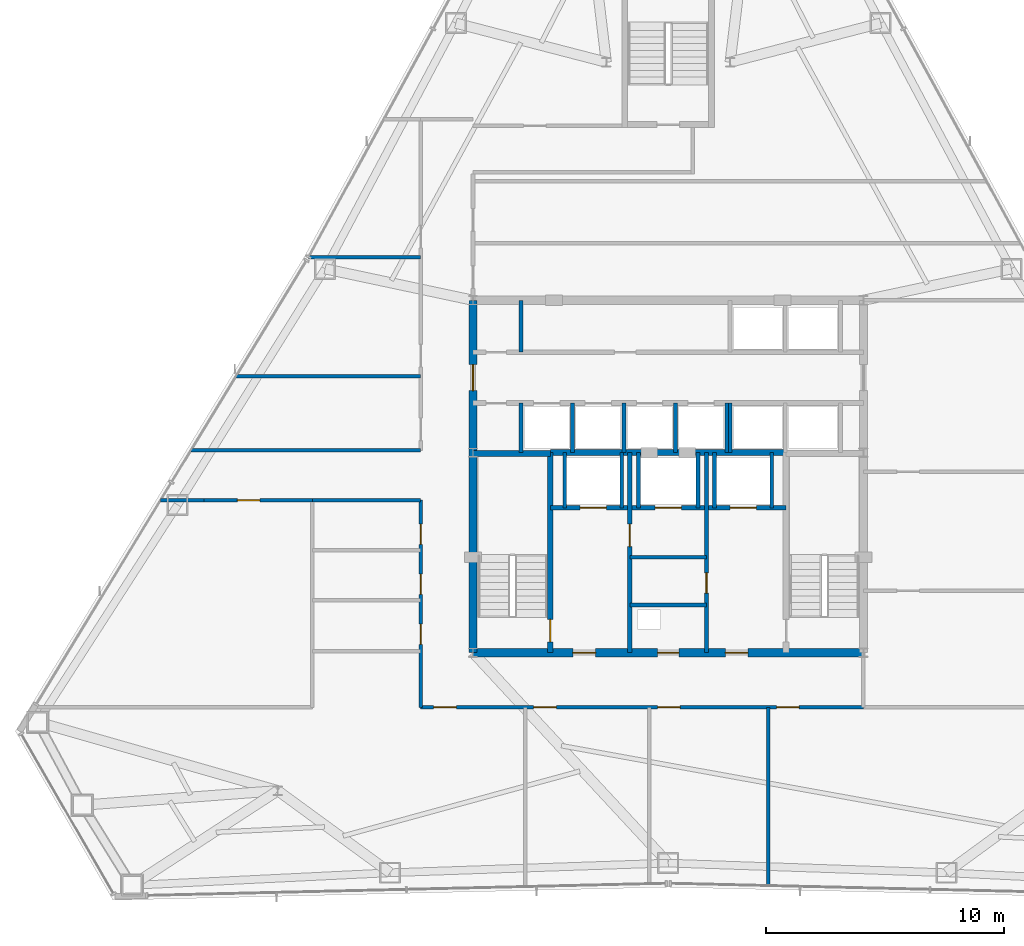
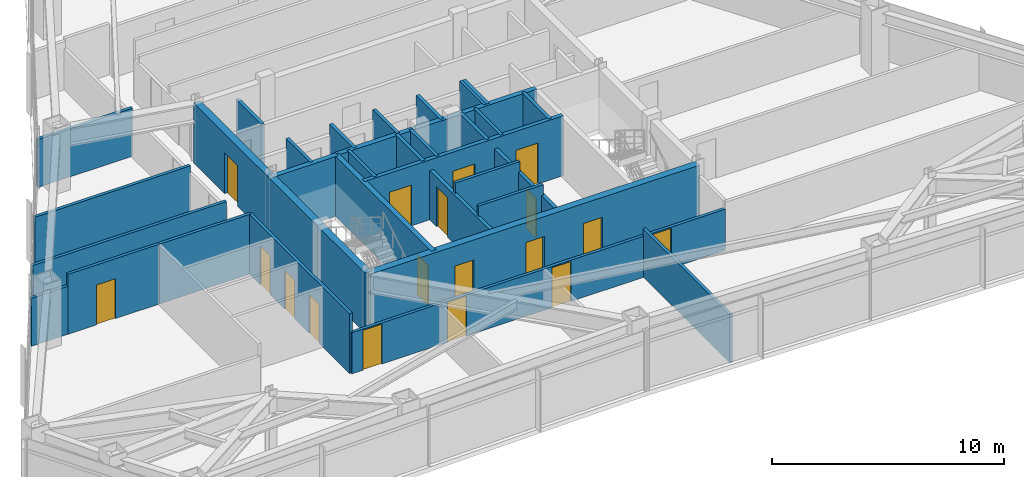
# One storey, part 9 of 12: 32 walls, 18 doors, 18 openings.
"""IFC4 building model written with IfcOpenShell, lengths in metres."""

from ifc_helpers import new_model, si_unit, direction, frame, frame_2d, origin, place, context, subcontext, project, spatial, rectangle, extrude, material, layer, layer_set, type_object, element, fill, save


model = new_model("IFC4")

# Units and contexts
model_context = context("Model", 3, precision=1e-05, world=origin(), true_north=direction((0.0, 1.0)))
body_context = subcontext(model_context, "Body", "Model", "MODEL_VIEW")
ifc_project = project(units=[si_unit("LENGTHUNIT", "METRE"), si_unit("AREAUNIT", "SQUARE_METRE"), si_unit("VOLUMEUNIT", "CUBIC_METRE"), si_unit("PLANEANGLEUNIT", "RADIAN"), si_unit("MASSUNIT", "GRAM", prefix="KILO")], contexts=[model_context])

# Site, building, storey
site_placement = place(None, origin())
site = spatial("IfcSite", under=ifc_project, at=site_placement, CompositionType="ELEMENT")
building_placement = place(site_placement, origin())
building = spatial("IfcBuilding", under=site, at=building_placement, Name="Varakhsha Concourse Tower", CompositionType="ELEMENT")
storey_placement = place(building_placement, frame((0.0, 0.0, 153.949951171875)))
storey = spatial("IfcBuildingStorey", under=building, at=storey_placement, Name="L44", CompositionType="ELEMENT", Elevation=153.949951171875)

# Wall, openings, doors
ifc_material_1 = material(Name="Concrete fc 65 MPa", Category="concrete")
ifc_layer_1 = layer(ifc_material_1, 0.35009765625, Name="WL-CORE-350")
ifc_layer_set_1 = layer_set([ifc_layer_1], Name="Concrete fc 65 MPa")
wall_type_1 = type_object("IfcWallType", Name="WL-CORE-350", PredefinedType="SHEAR", material=ifc_layer_set_1)
wall_1_placement = place(storey_placement, frame((31.800048828125, 16.39990234375, 0.0), z_axis=(0.0, 0.0, 1.0), x_axis=(1.0, 0.0, 0.0)))
wall_1 = element("IfcWall", 1, at=wall_1_placement, inside=storey, type_object=wall_type_1, Name="L44 Wall CWALL-S-L44", PredefinedType="SHEAR", context=body_context, shape_type="SweptSolid", body=[
    extrude(rectangle(XDim=16.39990234375, YDim=0.35009765625, at=frame_2d((8.199951171875, 0.0))), origin(), (0.0, 0.0, 1.0), 3.150146484375),
])
opening_1_placement = place(wall_1_placement, frame((7.75, 0.0, 0.0)))
opening_1 = element("IfcOpeningElement", 2, at=opening_1_placement, cuts=wall_1, Name="Opening DF-06", PredefinedType="OPENING", context=body_context, shape_type="SweptSolid", body=[
    extrude(rectangle(XDim=0.89990234375, YDim=2.10009765625, at=frame_2d((0.449951171875, 1.050048828125))), frame((0.0, 0.18505859375, 0.0), z_axis=(0.0, -1.0, 0.0), x_axis=(1.0, 0.0, 0.0)), (0.0, 0.0, 1.0), 0.3701171875),
])
opening_2_placement = place(wall_1_placement, frame((4.199951171875, 0.0, 0.0)))
opening_2 = element("IfcOpeningElement", 3, at=opening_2_placement, cuts=wall_1, Name="Opening DF-05", PredefinedType="OPENING", context=body_context, shape_type="SweptSolid", body=[
    extrude(rectangle(XDim=0.949951171875, YDim=2.10009765625, at=frame_2d((0.47509765625, 1.050048828125))), frame((0.0, 0.18505859375, 0.0), z_axis=(0.0, -1.0, 0.0), x_axis=(1.0, 0.0, 0.0)), (0.0, 0.0, 1.0), 0.3701171875),
])
opening_3_placement = place(wall_1_placement, frame((10.60009765625, 0.0, 0.0)))
opening_3 = element("IfcOpeningElement", 4, at=opening_3_placement, cuts=wall_1, Name="Opening DF-05", PredefinedType="OPENING", context=body_context, shape_type="SweptSolid", body=[
    extrude(rectangle(XDim=0.949951171875, YDim=2.10009765625, at=frame_2d((0.47509765625, 1.050048828125))), frame((0.0, 0.18505859375, 0.0), z_axis=(0.0, -1.0, 0.0), x_axis=(1.0, 0.0, 0.0)), (0.0, 0.0, 1.0), 0.3701171875),
])
ifc_material_2 = material(Name="Hollow Galvanised Steel Fire Door Assembly", Category="steel")
door_type_1 = type_object("IfcDoorType", Name="DR-FD60-900", OperationType="NOTDEFINED", PredefinedType="DOOR", material=ifc_material_2)
door_1_placement = place(opening_1_placement, origin())
door_1 = element("IfcDoor", 5, at=door_1_placement, inside=storey, type_object=door_type_1, Name="L44 Electrical Riser Door", OperationType="SINGLE_SWING_LEFT", OverallHeight=2.10009765625, OverallWidth=0.89990234375, PredefinedType="DOOR", context=body_context, shape_type="SweptSolid", body=[
    extrude(rectangle(XDim=0.89990234375, YDim=2.10009765625, at=frame_2d((0.449951171875, 1.050048828125))), frame((0.0, 0.02490234375, 0.0), z_axis=(0.0, -1.0, 0.0), x_axis=(1.0, 0.0, 0.0)), (0.0, 0.0, 1.0), 0.050048828125),
])
fill(opening_1, door_1)
door_type_2 = type_object("IfcDoorType", Name="DR-FD60-950", OperationType="NOTDEFINED", PredefinedType="DOOR", material=ifc_material_2)
door_2_placement = place(opening_2_placement, origin())
door_2 = element("IfcDoor", 6, at=door_2_placement, inside=storey, type_object=door_type_2, Name="L44 Firefighting Lobby West Door", OperationType="SINGLE_SWING_RIGHT", OverallHeight=2.10009765625, OverallWidth=0.949951171875, PredefinedType="DOOR", context=body_context, shape_type="SweptSolid", body=[
    extrude(rectangle(XDim=0.949951171875, YDim=2.10009765625, at=frame_2d((0.47509765625, 1.050048828125))), frame((0.0, 0.02490234375, 0.0), z_axis=(0.0, -1.0, 0.0), x_axis=(1.0, 0.0, 0.0)), (0.0, 0.0, 1.0), 0.050048828125),
])
fill(opening_2, door_2)
door_3_placement = place(opening_3_placement, origin())
door_3 = element("IfcDoor", 7, at=door_3_placement, inside=storey, type_object=door_type_2, Name="L44 Firefighting Lobby East Door", OperationType="SINGLE_SWING_LEFT", OverallHeight=2.10009765625, OverallWidth=0.949951171875, PredefinedType="DOOR", context=body_context, shape_type="SweptSolid", body=[
    extrude(rectangle(XDim=0.949951171875, YDim=2.10009765625, at=frame_2d((0.47509765625, 1.050048828125))), frame((0.0, 0.02490234375, 0.0), z_axis=(0.0, -1.0, 0.0), x_axis=(1.0, 0.0, 0.0)), (0.0, 0.0, 1.0), 0.050048828125),
])
fill(opening_3, door_3)

# Wall, opening, door
wall_2_placement = place(storey_placement, frame((31.800048828125, 16.39990234375, 0.0), z_axis=(0.0, 0.0, 1.0), x_axis=(0.0, 1.0, 0.0)))
wall_2 = element("IfcWall", 8, at=wall_2_placement, inside=storey, type_object=wall_type_1, Name="L44 Wall CWALL-W-L44", PredefinedType="SHEAR", context=body_context, shape_type="SweptSolid", body=[
    extrude(rectangle(XDim=14.800048828125, YDim=0.35009765625, at=frame_2d((7.39990234375, 0.0))), origin(), (0.0, 0.0, 1.0), 3.150146484375),
])
opening_4_placement = place(wall_2_placement, frame((11.0, 0.0, 0.0)))
opening_4 = element("IfcOpeningElement", 9, at=opening_4_placement, cuts=wall_2, Name="Opening DL-01", PredefinedType="OPENING", context=body_context, shape_type="SweptSolid", body=[
    extrude(rectangle(XDim=1.10009765625, YDim=2.14990234375, at=frame_2d((0.550048828125, 1.074951171875))), frame((0.0, 0.18505859375, 0.0), z_axis=(0.0, -1.0, 0.0), x_axis=(1.0, 0.0, 0.0)), (0.0, 0.0, 1.0), 0.3701171875),
])
ifc_material_3 = material(Name="Anodised Bronze Architectural Aluminium AA 6063-T6", Category="aluminium")
door_type_3 = type_object("IfcDoorType", Name="DR-LOB-1100", OperationType="NOTDEFINED", PredefinedType="DOOR", material=ifc_material_3)
door_4_placement = place(opening_4_placement, origin())
door_4 = element("IfcDoor", 10, at=door_4_placement, inside=storey, type_object=door_type_3, Name="L44 Lift Lobby West Concourse Door", OperationType="SINGLE_SWING_LEFT", OverallHeight=2.14990234375, OverallWidth=1.10009765625, PredefinedType="DOOR", context=body_context, shape_type="SweptSolid", body=[
    extrude(rectangle(XDim=1.10009765625, YDim=2.14990234375, at=frame_2d((0.550048828125, 1.074951171875))), frame((0.0, 0.02490234375, 0.0), z_axis=(0.0, -1.0, 0.0), x_axis=(1.0, 0.0, 0.0)), (0.0, 0.0, 1.0), 0.050048828125),
])
fill(opening_4, door_4)

ifc_material_4 = material(Name="Fire-Rated Type X Gypsum Partition Assembly", Category="gypsum")
ifc_layer_2 = layer(ifc_material_4, 0.179931640625, Name="WL-FFLOB-180")
ifc_layer_set_2 = layer_set([ifc_layer_2], Name="Fire-Rated Type X Gypsum Partition Assembly")
wall_type_2 = type_object("IfcWallType", Name="WL-FFLOB-180", PredefinedType="PARTITIONING", material=ifc_layer_set_2)
wall_3_placement = place(storey_placement, frame((38.389892578125, 16.39990234375, 0.0), z_axis=(0.0, 0.0, 1.0), x_axis=(0.0, 1.0, 0.0)))
wall_3 = element("IfcWall", 11, at=wall_3_placement, inside=storey, type_object=wall_type_2, Name="L44 Wall FFW-1E-L44", PredefinedType="PARTITIONING", context=body_context, shape_type="SweptSolid", body=[
    extrude(rectangle(XDim=8.400146484375, YDim=0.179931640625, at=frame_2d((4.2001953125, 0.0))), origin(), (0.0, 0.0, 1.0), 2.60107421875),
])
opening_5_placement = place(wall_3_placement, frame((4.449951171875, 0.0, 0.0)))
opening_5 = element("IfcOpeningElement", 12, at=opening_5_placement, cuts=wall_3, Name="Opening DF-05", PredefinedType="OPENING", context=body_context, shape_type="SweptSolid", body=[
    extrude(rectangle(XDim=0.949951171875, YDim=2.10009765625, at=frame_2d((0.47509765625, 1.050048828125))), frame((0.0, 0.099853515625, 0.0), z_axis=(0.0, -1.0, 0.0), x_axis=(1.0, 0.0, 0.0)), (0.0, 0.0, 1.0), 0.199951171875),
])
door_5_placement = place(opening_5_placement, origin())
door_5 = element("IfcDoor", 13, at=door_5_placement, inside=storey, type_object=door_type_2, Name="L44 Service Vestibule Door", OperationType="SINGLE_SWING_RIGHT", OverallHeight=2.10009765625, OverallWidth=0.949951171875, PredefinedType="DOOR", context=body_context, shape_type="SweptSolid", body=[
    extrude(rectangle(XDim=0.949951171875, YDim=2.10009765625, at=frame_2d((0.47509765625, 1.050048828125))), frame((0.0, 0.02490234375, 0.0), z_axis=(0.0, -1.0, 0.0), x_axis=(1.0, 0.0, 0.0)), (0.0, 0.0, 1.0), 0.050048828125),
])
fill(opening_5, door_5)

wall_4_placement = place(storey_placement, frame((41.610107421875, 16.39990234375, 0.0), z_axis=(0.0, 0.0, 1.0), x_axis=(0.0, 1.0, 0.0)))
wall_4 = element("IfcWall", 14, at=wall_4_placement, inside=storey, type_object=wall_type_2, Name="L44 Wall FFW-2W-L44", PredefinedType="PARTITIONING", context=body_context, shape_type="SweptSolid", body=[
    extrude(rectangle(XDim=8.400146484375, YDim=0.179931640625, at=frame_2d((4.2001953125, 0.0))), origin(), (0.0, 0.0, 1.0), 2.60107421875),
])
opening_6_placement = place(wall_4_placement, frame((2.5, 0.0, 0.0)))
opening_6 = element("IfcOpeningElement", 15, at=opening_6_placement, cuts=wall_4, Name="Opening DF-07", PredefinedType="OPENING", context=body_context, shape_type="SweptSolid", body=[
    extrude(rectangle(XDim=0.85009765625, YDim=2.050048828125, at=frame_2d((0.425048828125, 1.02490234375))), frame((0.0, 0.099853515625, 0.0), z_axis=(0.0, -1.0, 0.0), x_axis=(1.0, 0.0, 0.0)), (0.0, 0.0, 1.0), 0.199951171875),
])
door_type_4 = type_object("IfcDoorType", Name="DR-FD60-850", OperationType="NOTDEFINED", PredefinedType="DOOR", material=ifc_material_2)
door_6_placement = place(opening_6_placement, origin())
door_6 = element("IfcDoor", 16, at=door_6_placement, inside=storey, type_object=door_type_4, Name="L44 Telecoms Node Door", OperationType="SINGLE_SWING_LEFT", OverallHeight=2.050048828125, OverallWidth=0.85009765625, PredefinedType="DOOR", context=body_context, shape_type="SweptSolid", body=[
    extrude(rectangle(XDim=0.85009765625, YDim=2.050048828125, at=frame_2d((0.425048828125, 1.02490234375))), frame((0.0, 0.02490234375, 0.0), z_axis=(0.0, -1.0, 0.0), x_axis=(1.0, 0.0, 0.0)), (0.0, 0.0, 1.0), 0.050048828125),
])
fill(opening_6, door_6)

# Walls
ifc_layer_3 = layer(ifc_material_4, 0.14990234375, Name="WL-PART-150")
ifc_layer_set_3 = layer_set([ifc_layer_3], Name="Fire-Rated Type X Gypsum Partition Assembly")
wall_type_3 = type_object("IfcWallType", Name="WL-PART-150", PredefinedType="PARTITIONING", material=ifc_layer_set_3)
for number, where, z_axis, x_axis, name in (
    (17, (38.389892578125, 18.39990234375, 0.0), (0.0, 0.0, 1.0), (1.0, 0.0, 0.0), "L44 Wall RSW-H1-L44"),
    (18, (38.389892578125, 20.39990234375, 0.0), (0.0, 0.0, 1.0), (1.0, 0.0, 0.0), "L44 Wall RSW-H2-L44"),
):
    element("IfcWall", number, at=place(storey_placement, frame(where, z_axis=z_axis, x_axis=x_axis)), inside=storey, type_object=wall_type_3, Name=name, PredefinedType="PARTITIONING", context=body_context, shape_type="SweptSolid", body=[
        extrude(rectangle(XDim=3.22021484375, YDim=0.14990234375, at=frame_2d((1.610107421875, 0.0))), origin(), (0.0, 0.0, 1.0), 3.150146484375),
    ])

# Wall, openings, doors
wall_5_placement = place(storey_placement, frame((29.60009765625, 14.10009765625, 0.0), z_axis=(0.0, 0.0, 1.0), x_axis=(1.0, 0.0, 0.0)))
wall_5 = element("IfcWall", 19, at=wall_5_placement, inside=storey, type_object=wall_type_3, Name="L44 Wall CRW-S-L44", PredefinedType="PARTITIONING", context=body_context, shape_type="SweptSolid", body=[
    extrude(rectangle(XDim=18.599853515625, YDim=0.14990234375, at=frame_2d((9.2998046875, 0.0))), origin(), (0.0, 0.0, 1.0), 2.1650390625),
])
opening_7_placement = place(wall_5_placement, frame((0.550048828125, 0.0, 0.0)))
opening_7 = element("IfcOpeningElement", 20, at=opening_7_placement, cuts=wall_5, Name="Opening DF-05", PredefinedType="OPENING", context=body_context, shape_type="SweptSolid", body=[
    extrude(rectangle(XDim=0.949951171875, YDim=2.10009765625, at=frame_2d((0.47509765625, 1.050048828125))), frame((0.0, 0.0849609375, 0.0), z_axis=(0.0, -1.0, 0.0), x_axis=(1.0, 0.0, 0.0)), (0.0, 0.0, 1.0), 0.169921875),
])
opening_8_placement = place(wall_5_placement, frame((4.75, 0.0, 0.0)))
opening_8 = element("IfcOpeningElement", 21, at=opening_8_placement, cuts=wall_5, Name="Opening DF-05", PredefinedType="OPENING", context=body_context, shape_type="SweptSolid", body=[
    extrude(rectangle(XDim=0.949951171875, YDim=2.10009765625, at=frame_2d((0.47509765625, 1.050048828125))), frame((0.0, 0.0849609375, 0.0), z_axis=(0.0, -1.0, 0.0), x_axis=(1.0, 0.0, 0.0)), (0.0, 0.0, 1.0), 0.169921875),
])
opening_9_placement = place(wall_5_placement, frame((9.949951171875, 0.0, 0.0)))
opening_9 = element("IfcOpeningElement", 22, at=opening_9_placement, cuts=wall_5, Name="Opening DF-05", PredefinedType="OPENING", context=body_context, shape_type="SweptSolid", body=[
    extrude(rectangle(XDim=0.949951171875, YDim=2.10009765625, at=frame_2d((0.47509765625, 1.050048828125))), frame((0.0, 0.0849609375, 0.0), z_axis=(0.0, -1.0, 0.0), x_axis=(1.0, 0.0, 0.0)), (0.0, 0.0, 1.0), 0.169921875),
])
opening_10_placement = place(wall_5_placement, frame((14.949951171875, 0.0, 0.0)))
opening_10 = element("IfcOpeningElement", 23, at=opening_10_placement, cuts=wall_5, Name="Opening DF-05", PredefinedType="OPENING", context=body_context, shape_type="SweptSolid", body=[
    extrude(rectangle(XDim=0.949951171875, YDim=2.10009765625, at=frame_2d((0.47509765625, 1.050048828125))), frame((0.0, 0.0849609375, 0.0), z_axis=(0.0, -1.0, 0.0), x_axis=(1.0, 0.0, 0.0)), (0.0, 0.0, 1.0), 0.169921875),
])
door_7_placement = place(opening_7_placement, origin())
door_7 = element("IfcDoor", 24, at=door_7_placement, inside=storey, type_object=door_type_2, Name="L44 Grand Corner Boardroom L44-S1 Door", OperationType="SINGLE_SWING_LEFT", OverallHeight=2.10009765625, OverallWidth=0.949951171875, PredefinedType="DOOR", context=body_context, shape_type="SweptSolid", body=[
    extrude(rectangle(XDim=0.949951171875, YDim=2.10009765625, at=frame_2d((0.47509765625, 1.050048828125))), frame((0.0, 0.02490234375, 0.0), z_axis=(0.0, -1.0, 0.0), x_axis=(1.0, 0.0, 0.0)), (0.0, 0.0, 1.0), 0.050048828125),
])
fill(opening_7, door_7)
door_8_placement = place(opening_8_placement, origin())
door_8 = element("IfcDoor", 25, at=door_8_placement, inside=storey, type_object=door_type_2, Name="L44 Executive Director Suite L44-S2 Door", OperationType="SINGLE_SWING_RIGHT", OverallHeight=2.10009765625, OverallWidth=0.949951171875, PredefinedType="DOOR", context=body_context, shape_type="SweptSolid", body=[
    extrude(rectangle(XDim=0.949951171875, YDim=2.10009765625, at=frame_2d((0.47509765625, 1.050048828125))), frame((0.0, 0.02490234375, 0.0), z_axis=(0.0, -1.0, 0.0), x_axis=(1.0, 0.0, 0.0)), (0.0, 0.0, 1.0), 0.050048828125),
])
fill(opening_8, door_8)
door_9_placement = place(opening_9_placement, origin())
door_9 = element("IfcDoor", 26, at=door_9_placement, inside=storey, type_object=door_type_2, Name="L44 Executive Director Suite L44-S3 Door", OperationType="SINGLE_SWING_LEFT", OverallHeight=2.10009765625, OverallWidth=0.949951171875, PredefinedType="DOOR", context=body_context, shape_type="SweptSolid", body=[
    extrude(rectangle(XDim=0.949951171875, YDim=2.10009765625, at=frame_2d((0.47509765625, 1.050048828125))), frame((0.0, 0.02490234375, 0.0), z_axis=(0.0, -1.0, 0.0), x_axis=(1.0, 0.0, 0.0)), (0.0, 0.0, 1.0), 0.050048828125),
])
fill(opening_9, door_9)
door_10_placement = place(opening_10_placement, origin())
door_10 = element("IfcDoor", 27, at=door_10_placement, inside=storey, type_object=door_type_2, Name="L44 Executive Director Suite L44-S4 Door", OperationType="SINGLE_SWING_RIGHT", OverallHeight=2.10009765625, OverallWidth=0.949951171875, PredefinedType="DOOR", context=body_context, shape_type="SweptSolid", body=[
    extrude(rectangle(XDim=0.949951171875, YDim=2.10009765625, at=frame_2d((0.47509765625, 1.050048828125))), frame((0.0, 0.02490234375, 0.0), z_axis=(0.0, -1.0, 0.0), x_axis=(1.0, 0.0, 0.0)), (0.0, 0.0, 1.0), 0.050048828125),
])
fill(opening_10, door_10)

wall_6_placement = place(storey_placement, frame((29.60009765625, 14.10009765625, 0.0), z_axis=(0.0, 0.0, 1.0), x_axis=(0.0, 1.0, 0.0)))
wall_6 = element("IfcWall", 28, at=wall_6_placement, inside=storey, type_object=wall_type_3, Name="L44 Wall CRW-WS-L44", PredefinedType="PARTITIONING", context=body_context, shape_type="SweptSolid", body=[
    extrude(rectangle(XDim=8.699951171875, YDim=0.14990234375, at=frame_2d((4.35009765625, 0.0))), origin(), (0.0, 0.0, 1.0), 3.150146484375),
])
opening_11_placement = place(wall_6_placement, frame((2.64990234375, 0.0, 0.0)))
opening_11 = element("IfcOpeningElement", 29, at=opening_11_placement, cuts=wall_6, Name="Opening DF-07", PredefinedType="OPENING", context=body_context, shape_type="SweptSolid", body=[
    extrude(rectangle(XDim=0.85009765625, YDim=2.050048828125, at=frame_2d((0.425048828125, 1.02490234375))), frame((0.0, 0.0849609375, 0.0), z_axis=(0.0, -1.0, 0.0), x_axis=(1.0, 0.0, 0.0)), (0.0, 0.0, 1.0), 0.169921875),
])
opening_12_placement = place(wall_6_placement, frame((4.75, 0.0, 0.0)))
opening_12 = element("IfcOpeningElement", 30, at=opening_12_placement, cuts=wall_6, Name="Opening DF-07", PredefinedType="OPENING", context=body_context, shape_type="SweptSolid", body=[
    extrude(rectangle(XDim=0.85009765625, YDim=2.050048828125, at=frame_2d((0.425048828125, 1.02490234375))), frame((0.0, 0.0849609375, 0.0), z_axis=(0.0, -1.0, 0.0), x_axis=(1.0, 0.0, 0.0)), (0.0, 0.0, 1.0), 0.169921875),
])
opening_13_placement = place(wall_6_placement, frame((6.85009765625, 0.0, 0.0)))
opening_13 = element("IfcOpeningElement", 31, at=opening_13_placement, cuts=wall_6, Name="Opening DF-07", PredefinedType="OPENING", context=body_context, shape_type="SweptSolid", body=[
    extrude(rectangle(XDim=0.85009765625, YDim=2.050048828125, at=frame_2d((0.425048828125, 1.02490234375))), frame((0.0, 0.0849609375, 0.0), z_axis=(0.0, -1.0, 0.0), x_axis=(1.0, 0.0, 0.0)), (0.0, 0.0, 1.0), 0.169921875),
])
door_11_placement = place(opening_11_placement, origin())
door_11 = element("IfcDoor", 32, at=door_11_placement, inside=storey, type_object=door_type_4, Name="L44 Men Restroom WC Door", OperationType="SINGLE_SWING_LEFT", OverallHeight=2.050048828125, OverallWidth=0.85009765625, PredefinedType="DOOR", context=body_context, shape_type="SweptSolid", body=[
    extrude(rectangle(XDim=0.85009765625, YDim=2.050048828125, at=frame_2d((0.425048828125, 1.02490234375))), frame((0.0, 0.02490234375, 0.0), z_axis=(0.0, -1.0, 0.0), x_axis=(1.0, 0.0, 0.0)), (0.0, 0.0, 1.0), 0.050048828125),
])
fill(opening_11, door_11)
door_12_placement = place(opening_12_placement, origin())
door_12 = element("IfcDoor", 33, at=door_12_placement, inside=storey, type_object=door_type_4, Name="L44 Women Restroom WC Door", OperationType="SINGLE_SWING_LEFT", OverallHeight=2.050048828125, OverallWidth=0.85009765625, PredefinedType="DOOR", context=body_context, shape_type="SweptSolid", body=[
    extrude(rectangle(XDim=0.85009765625, YDim=2.050048828125, at=frame_2d((0.425048828125, 1.02490234375))), frame((0.0, 0.02490234375, 0.0), z_axis=(0.0, -1.0, 0.0), x_axis=(1.0, 0.0, 0.0)), (0.0, 0.0, 1.0), 0.050048828125),
])
fill(opening_12, door_12)
door_13_placement = place(opening_13_placement, origin())
door_13 = element("IfcDoor", 34, at=door_13_placement, inside=storey, type_object=door_type_4, Name="L44 Accessible WC Door", OperationType="SINGLE_SWING_LEFT", OverallHeight=2.050048828125, OverallWidth=0.85009765625, PredefinedType="DOOR", context=body_context, shape_type="SweptSolid", body=[
    extrude(rectangle(XDim=0.85009765625, YDim=2.050048828125, at=frame_2d((0.425048828125, 1.02490234375))), frame((0.0, 0.02490234375, 0.0), z_axis=(0.0, -1.0, 0.0), x_axis=(1.0, 0.0, 0.0)), (0.0, 0.0, 1.0), 0.050048828125),
])
fill(opening_13, door_13)

# Walls
wall_7_placement = place(storey_placement, frame((18.67626953125, 22.800048828125, 0.0), z_axis=(0.0, 0.0, 1.0), x_axis=(1.0, 0.0, 0.0)))
element("IfcWall", 35, at=wall_7_placement, inside=storey, type_object=wall_type_3, Name="L44 Wall CRW-WWS-W-L44", PredefinedType="PARTITIONING", context=body_context, shape_type="SweptSolid", body=[
    extrude(rectangle(XDim=1.82373046875, YDim=0.14990234375, at=frame_2d((0.911865234375, 0.0))), origin(), (0.0, 0.0, 1.0), 2.529052734375),
])
wall_8_placement = place(storey_placement, frame((25.050048828125, 22.800048828125, 0.0), z_axis=(0.0, 0.0, 1.0), x_axis=(1.0, 0.0, 0.0)))
element("IfcWall", 36, at=wall_8_placement, inside=storey, type_object=wall_type_3, Name="L44 Wall CRW-WWS-E-L44", PredefinedType="PARTITIONING", context=body_context, shape_type="SweptSolid", body=[
    extrude(rectangle(XDim=4.550048828125, YDim=0.14990234375, at=frame_2d((2.27490234375, 0.0))), origin(), (0.0, 0.0, 1.0), 3.150146484375),
])
wall_9_placement = place(storey_placement, frame((19.955078125, 24.89990234375, 0.0), z_axis=(0.0, 0.0, 1.0), x_axis=(1.0, 0.0, 0.0)))
element("IfcWall", 37, at=wall_9_placement, inside=storey, type_object=wall_type_3, Name="L44 Wall CRW-WWN-L44", PredefinedType="PARTITIONING", context=body_context, shape_type="SweptSolid", body=[
    extrude(rectangle(XDim=9.64501953125, YDim=0.14990234375, at=frame_2d((4.822509765625, 0.0))), origin(), (0.0, 0.0, 1.0), 2.529052734375),
])
wall_10_placement = place(storey_placement, frame((44.199951171875, 6.61279296875, 0.0), z_axis=(0.0, 0.0, 1.0), x_axis=(0.0, 1.0, 0.0)))
element("IfcWall", 38, at=wall_10_placement, inside=storey, type_object=wall_type_3, Name="L44 Wall ODIV-S3-L44", PredefinedType="PARTITIONING", context=body_context, shape_type="SweptSolid", body=[
    extrude(rectangle(XDim=7.4873046875, YDim=0.14990234375, at=frame_2d((3.74365234375, 0.0))), origin(), (0.0, 0.0, 1.0), 2.529052734375),
])

# Wall, opening, door
wall_11_placement = place(storey_placement, frame((20.5, 22.800048828125, 0.0), z_axis=(0.0, 0.0, 1.0), x_axis=(1.0, 0.0, 0.0)))
wall_11 = element("IfcWall", 39, at=wall_11_placement, inside=storey, type_object=wall_type_3, Name="L44 Wall CRW-WWS-DOOR-L44", PredefinedType="PARTITIONING", context=body_context, shape_type="SweptSolid", body=[
    extrude(rectangle(XDim=4.550048828125, YDim=0.14990234375, at=frame_2d((2.27490234375, 0.0))), origin(), (0.0, 0.0, 1.0), 3.150146484375),
])
opening_14_placement = place(wall_11_placement, frame((1.39990234375, 0.0, 0.0)))
opening_14 = element("IfcOpeningElement", 40, at=opening_14_placement, cuts=wall_11, Name="Opening DF-05", PredefinedType="OPENING", context=body_context, shape_type="SweptSolid", body=[
    extrude(rectangle(XDim=0.949951171875, YDim=2.10009765625, at=frame_2d((0.47509765625, 1.050048828125))), frame((0.0, 0.0849609375, 0.0), z_axis=(0.0, -1.0, 0.0), x_axis=(1.0, 0.0, 0.0)), (0.0, 0.0, 1.0), 0.169921875),
])
door_14_placement = place(opening_14_placement, origin())
door_14 = element("IfcDoor", 41, at=door_14_placement, inside=storey, type_object=door_type_2, Name="L44 Diplomatic Reception Gallery L44-SW Door", OperationType="SINGLE_SWING_LEFT", OverallHeight=2.10009765625, OverallWidth=0.949951171875, PredefinedType="DOOR", context=body_context, shape_type="SweptSolid", body=[
    extrude(rectangle(XDim=0.949951171875, YDim=2.10009765625, at=frame_2d((0.47509765625, 1.050048828125))), frame((0.0, 0.02490234375, 0.0), z_axis=(0.0, -1.0, 0.0), x_axis=(1.0, 0.0, 0.0)), (0.0, 0.0, 1.0), 0.050048828125),
])
fill(opening_14, door_14)

# Walls
wall_12_placement = place(storey_placement, frame((21.843017578125, 28.0, 0.0), z_axis=(0.0, 0.0, 1.0), x_axis=(1.0, 0.0, 0.0)))
element("IfcWall", 42, at=wall_12_placement, inside=storey, type_object=wall_type_3, Name="L44 Wall ODIV-W1-L44", PredefinedType="PARTITIONING", context=body_context, shape_type="SweptSolid", body=[
    extrude(rectangle(XDim=7.757080078125, YDim=0.14990234375, at=frame_2d((3.87841796875, 0.0))), origin(), (0.0, 0.0, 1.0), 2.529052734375),
])
wall_13_placement = place(storey_placement, frame((24.884521484375, 33.0, 0.0), z_axis=(0.0, 0.0, 1.0), x_axis=(1.0, 0.0, 0.0)))
element("IfcWall", 43, at=wall_13_placement, inside=storey, type_object=wall_type_3, Name="L44 Wall ODIV-W2-L44", PredefinedType="PARTITIONING", context=body_context, shape_type="SweptSolid", body=[
    extrude(rectangle(XDim=4.715576171875, YDim=0.14990234375, at=frame_2d((2.35791015625, 0.0))), origin(), (0.0, 0.0, 1.0), 2.529052734375),
])

# Wall, openings, doors
ifc_layer_4 = layer(ifc_material_4, 0.199951171875, Name="WL-SHAFT-220")
ifc_layer_set_4 = layer_set([ifc_layer_4], Name="Fire-Rated Type X Gypsum Partition Assembly")
wall_type_4 = type_object("IfcWallType", Name="WL-SHAFT-220", PredefinedType="SOLIDWALL", material=ifc_layer_set_4)
wall_14_placement = place(storey_placement, frame((35.044921875, 22.47998046875, 0.0), z_axis=(0.0, 0.0, 1.0), x_axis=(1.0, 0.0, 0.0)))
wall_14 = element("IfcWall", 44, at=wall_14_placement, inside=storey, type_object=wall_type_4, Name="L44 Wall FFW-NH-L44", PredefinedType="SOLIDWALL", context=body_context, shape_type="SweptSolid", body=[
    extrude(rectangle(XDim=9.91015625, YDim=0.199951171875, at=frame_2d((4.955078125, 0.0))), origin(), (0.0, 0.0, 1.0), 3.150146484375),
])
opening_15_placement = place(wall_14_placement, frame((1.2548828125, 0.0, 0.0)))
opening_15 = element("IfcOpeningElement", 45, at=opening_15_placement, cuts=wall_14, Name="Opening LD-FFL-1", PredefinedType="OPENING", context=body_context, shape_type="SweptSolid", body=[
    extrude(rectangle(XDim=1.10009765625, YDim=2.14990234375, at=frame_2d((0.550048828125, 1.074951171875))), frame((0.0, 0.10986328125, 0.0), z_axis=(0.0, -1.0, 0.0), x_axis=(1.0, 0.0, 0.0)), (0.0, 0.0, 1.0), 0.219970703125),
])
opening_16_placement = place(wall_14_placement, frame((7.554931640625, 0.0, 0.0)))
opening_16 = element("IfcOpeningElement", 46, at=opening_16_placement, cuts=wall_14, Name="Opening LD-FFL-2", PredefinedType="OPENING", context=body_context, shape_type="SweptSolid", body=[
    extrude(rectangle(XDim=1.10009765625, YDim=2.14990234375, at=frame_2d((0.550048828125, 1.074951171875))), frame((0.0, 0.10986328125, 0.0), z_axis=(0.0, -1.0, 0.0), x_axis=(1.0, 0.0, 0.0)), (0.0, 0.0, 1.0), 0.219970703125),
])
opening_17_placement = place(wall_14_placement, frame((4.405029296875, 0.0, 0.0)))
opening_17 = element("IfcOpeningElement", 47, at=opening_17_placement, cuts=wall_14, Name="Opening LD-SVL-1", PredefinedType="OPENING", context=body_context, shape_type="SweptSolid", body=[
    extrude(rectangle(XDim=1.10009765625, YDim=2.14990234375, at=frame_2d((0.550048828125, 1.074951171875))), frame((0.0, 0.10986328125, 0.0), z_axis=(0.0, -1.0, 0.0), x_axis=(1.0, 0.0, 0.0)), (0.0, 0.0, 1.0), 0.219970703125),
])
ifc_material_5 = material(Name="Brushed Austenitic Stainless Steel AISI 316", Category="steel")
door_type_5 = type_object("IfcDoorType", Name="DR-LD-1100", OperationType="DOUBLE_DOOR_SLIDING", PredefinedType="DOOR", material=ifc_material_5)
door_15_placement = place(opening_15_placement, origin())
door_15 = element("IfcDoor", 48, at=door_15_placement, inside=storey, type_object=door_type_5, Name="Lift Landing Door FFL-1 L44", OperationType="DOUBLE_DOOR_SLIDING", OverallHeight=2.14990234375, OverallWidth=1.10009765625, PredefinedType="DOOR", context=body_context, shape_type="SweptSolid", body=[
    extrude(rectangle(XDim=1.10009765625, YDim=2.14990234375, at=frame_2d((0.550048828125, 1.074951171875))), frame((0.0, 0.02490234375, 0.0), z_axis=(0.0, -1.0, 0.0), x_axis=(1.0, 0.0, 0.0)), (0.0, 0.0, 1.0), 0.050048828125),
])
fill(opening_15, door_15)
door_16_placement = place(opening_16_placement, origin())
door_16 = element("IfcDoor", 49, at=door_16_placement, inside=storey, type_object=door_type_5, Name="Lift Landing Door FFL-2 L44", OperationType="DOUBLE_DOOR_SLIDING", OverallHeight=2.14990234375, OverallWidth=1.10009765625, PredefinedType="DOOR", context=body_context, shape_type="SweptSolid", body=[
    extrude(rectangle(XDim=1.10009765625, YDim=2.14990234375, at=frame_2d((0.550048828125, 1.074951171875))), frame((0.0, 0.02490234375, 0.0), z_axis=(0.0, -1.0, 0.0), x_axis=(1.0, 0.0, 0.0)), (0.0, 0.0, 1.0), 0.050048828125),
])
fill(opening_16, door_16)
door_17_placement = place(opening_17_placement, origin())
door_17 = element("IfcDoor", 50, at=door_17_placement, inside=storey, type_object=door_type_5, Name="Lift Landing Door SVL-1 L44", OperationType="DOUBLE_DOOR_SLIDING", OverallHeight=2.14990234375, OverallWidth=1.10009765625, PredefinedType="DOOR", context=body_context, shape_type="SweptSolid", body=[
    extrude(rectangle(XDim=1.10009765625, YDim=2.14990234375, at=frame_2d((0.550048828125, 1.074951171875))), frame((0.0, 0.02490234375, 0.0), z_axis=(0.0, -1.0, 0.0), x_axis=(1.0, 0.0, 0.0)), (0.0, 0.0, 1.0), 0.050048828125),
])
fill(opening_17, door_17)

# Walls
for number, where, z_axis, x_axis, name in (
    (51, (35.64990234375, 22.47998046875, 0.0), (0.0, 0.0, 1.0), (0.0, 1.0, 0.0), "L44 Wall SHW-FFL-1-W-L44"),
    (52, (38.050048828125, 22.47998046875, 0.0), (0.0, 0.0, 1.0), (0.0, 1.0, 0.0), "L44 Wall SHW-FFL-1-E-L44"),
    (53, (41.949951171875, 22.47998046875, 0.0), (0.0, 0.0, 1.0), (0.0, 1.0, 0.0), "L44 Wall SHW-FFL-2-W-L44"),
    (54, (44.35009765625, 22.47998046875, 0.0), (0.0, 0.0, 1.0), (0.0, 1.0, 0.0), "L44 Wall SHW-FFL-2-E-L44"),
    (55, (38.75, 22.47998046875, 0.0), (0.0, 0.0, 1.0), (0.0, 1.0, 0.0), "L44 Wall SHW-SVL-1-W-L44"),
    (56, (41.25, 22.47998046875, 0.0), (0.0, 0.0, 1.0), (0.0, 1.0, 0.0), "L44 Wall SHW-SVL-1-E-L44"),
):
    element("IfcWall", number, at=place(storey_placement, frame(where, z_axis=z_axis, x_axis=x_axis)), inside=storey, type_object=wall_type_4, Name=name, PredefinedType="SOLIDWALL", context=body_context, shape_type="SweptSolid", body=[
        extrude(rectangle(XDim=2.320068359375, YDim=0.159912109375, at=frame_2d((1.16015625, 0.0))), origin(), (0.0, 0.0, 1.0), 3.150146484375),
    ])
wall_15_placement = place(storey_placement, frame((33.820068359375, 29.02001953125, 0.0), z_axis=(0.0, 0.0, 1.0), x_axis=(0.0, 1.0, 0.0)))
element("IfcWall", 57, at=wall_15_placement, inside=storey, type_object=wall_type_4, Name="L44 Wall WBOH-E1-L44", PredefinedType="SOLIDWALL", context=body_context, shape_type="SweptSolid", body=[
    extrude(rectangle(XDim=2.179931640625, YDim=0.159912109375, at=frame_2d((1.08984375, 0.0))), origin(), (0.0, 0.0, 1.0), 2.60107421875),
])
for number, where, z_axis, x_axis, name in (
    (58, (33.820068359375, 24.800048828125, 0.0), (0.0, 0.0, 1.0), (0.0, 1.0, 0.0), "L44 Wall WBOH-E2-L44"),
    (59, (35.97998046875, 24.800048828125, 0.0), (0.0, 0.0, 1.0), (0.0, 1.0, 0.0), "L44 Wall SHW-LF-P05-E-L44"),
    (60, (38.139892578125, 24.800048828125, 0.0), (0.0, 0.0, 1.0), (0.0, 1.0, 0.0), "L44 Wall SHW-LF-P06-E-L44"),
    (61, (40.300048828125, 24.800048828125, 0.0), (0.0, 0.0, 1.0), (0.0, 1.0, 0.0), "L44 Wall SHW-LF-P07-E-L44"),
    (62, (42.4599609375, 24.800048828125, 0.0), (0.0, 0.0, 1.0), (0.0, 1.0, 0.0), "L44 Wall SHW-LF-P08-E-L44"),
    (63, (42.60009765625, 24.800048828125, 0.0), (0.0, 0.0, 1.0), (0.0, 1.0, 0.0), "L44 Wall SHW-LF-P11-W-L44"),
):
    element("IfcWall", number, at=place(storey_placement, frame(where, z_axis=z_axis, x_axis=x_axis)), inside=storey, type_object=wall_type_4, Name=name, PredefinedType="SOLIDWALL", context=body_context, shape_type="SweptSolid", body=[
        extrude(rectangle(XDim=2.079833984375, YDim=0.159912109375, at=frame_2d((1.0400390625, 0.0))), origin(), (0.0, 0.0, 1.0), 3.150146484375),
    ])

# Wall, opening, door
ifc_material_6 = material(Name="Concrete fc 45 MPa", Category="concrete")
ifc_layer_5 = layer(ifc_material_6, 0.25, Name="WL-STAIR-250")
ifc_layer_set_5 = layer_set([ifc_layer_5], Name="Concrete fc 45 MPa")
wall_type_5 = type_object("IfcWallType", Name="WL-STAIR-250", PredefinedType="SHEAR", material=ifc_layer_set_5)
wall_16_placement = place(storey_placement, frame((35.044921875, 16.39990234375, 0.0), z_axis=(0.0, 0.0, 1.0), x_axis=(0.0, 1.0, 0.0)))
wall_16 = element("IfcWall", 64, at=wall_16_placement, inside=storey, type_object=wall_type_5, Name="L44 Wall SWALL-ST1-E-L44", PredefinedType="SHEAR", context=body_context, shape_type="SweptSolid", body=[
    extrude(rectangle(XDim=8.400146484375, YDim=0.25, at=frame_2d((4.2001953125, 0.0))), origin(), (0.0, 0.0, 1.0), 3.150146484375),
])
opening_18_placement = place(wall_16_placement, frame((0.449951171875, 0.0, 0.0)))
opening_18 = element("IfcOpeningElement", 65, at=opening_18_placement, cuts=wall_16, Name="Opening DF-03", PredefinedType="OPENING", context=body_context, shape_type="SweptSolid", body=[
    extrude(rectangle(XDim=0.949951171875, YDim=2.10009765625, at=frame_2d((0.47509765625, 1.050048828125))), frame((0.0, 0.135009765625, 0.0), z_axis=(0.0, -1.0, 0.0), x_axis=(1.0, 0.0, 0.0)), (0.0, 0.0, 1.0), 0.27001953125),
])
door_type_6 = type_object("IfcDoorType", Name="DR-FD90-950", OperationType="NOTDEFINED", PredefinedType="DOOR", material=ifc_material_2)
door_18_placement = place(opening_18_placement, origin())
door_18 = element("IfcDoor", 66, at=door_18_placement, inside=storey, type_object=door_type_6, Name="L44 Stair ST1 Fire Door", OperationType="SINGLE_SWING_LEFT", OverallHeight=2.10009765625, OverallWidth=0.949951171875, PredefinedType="DOOR", context=body_context, shape_type="SweptSolid", body=[
    extrude(rectangle(XDim=0.949951171875, YDim=2.10009765625, at=frame_2d((0.47509765625, 1.050048828125))), frame((0.0, 0.02490234375, 0.0), z_axis=(0.0, -1.0, 0.0), x_axis=(1.0, 0.0, 0.0)), (0.0, 0.0, 1.0), 0.050048828125),
])
fill(opening_18, door_18)

# Walls
wall_17_placement = place(storey_placement, frame((31.800048828125, 24.7548828125, 0.0), z_axis=(0.0, 0.0, 1.0), x_axis=(1.0, 0.0, 0.0)))
element("IfcWall", 67, at=wall_17_placement, inside=storey, type_object=wall_type_5, Name="L44 Wall SWALL-ST1-N-L44", PredefinedType="SHEAR", context=body_context, shape_type="SweptSolid", body=[
    extrude(rectangle(XDim=3.244873046875, YDim=0.25, at=frame_2d((1.62255859375, 0.0))), origin(), (0.0, 0.0, 1.0), 3.150146484375),
])
wall_18_placement = place(storey_placement, frame((35.044921875, 24.800048828125, 0.0), z_axis=(0.0, 0.0, 1.0), x_axis=(1.0, 0.0, 0.0)))
element("IfcWall", 68, at=wall_18_placement, inside=storey, type_object=wall_type_5, Name="L44 Wall SWALL-MID-H-L44", PredefinedType="SHEAR", context=body_context, shape_type="SweptSolid", body=[
    extrude(rectangle(XDim=9.91015625, YDim=0.25, at=frame_2d((4.955078125, 0.0))), origin(), (0.0, 0.0, 1.0), 3.150146484375),
])

save(model, "model.ifc")
